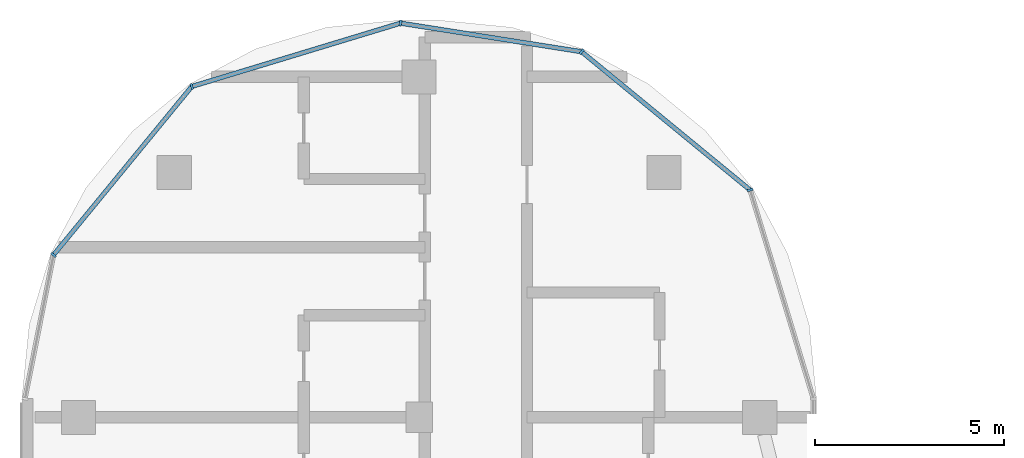
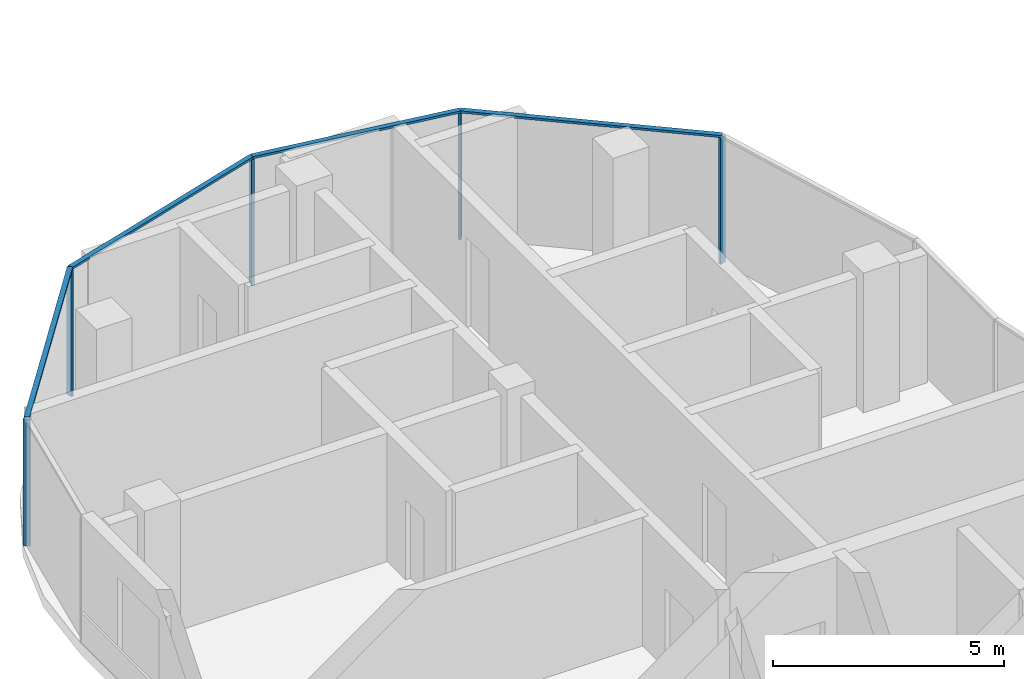
# One storey, part 6 of 19: 9 members, 1 element without a shape of its own.
"""IFC4 building model written with IfcOpenShell, lengths in metres."""

from ifc_helpers import new_model, si_unit, direction, frame, origin, origin_2d, place, context, subcontext, project, spatial, rectangle, extrude, material, material_profile, profile_set, type_object, element, aggregate, save


model = new_model("IFC4")

# Units and contexts
model_context = context("Model", 3, precision=1e-05, world=origin(), true_north=direction((0.0, 1.0)))
body_context = subcontext(model_context, "Body", "Model", "MODEL_VIEW")
ifc_project = project(units=[si_unit("LENGTHUNIT", "METRE"), si_unit("AREAUNIT", "SQUARE_METRE"), si_unit("VOLUMEUNIT", "CUBIC_METRE"), si_unit("PLANEANGLEUNIT", "RADIAN"), si_unit("MASSUNIT", "GRAM", prefix="KILO")], contexts=[model_context])

# Site, building, storey
site_placement = place(None, origin())
site = spatial("IfcSite", under=ifc_project, at=site_placement, CompositionType="ELEMENT")
building_placement = place(site_placement, origin())
building = spatial("IfcBuilding", under=site, at=building_placement, Name="Ogive Portal Towers", CompositionType="ELEMENT")
storey_placement = place(building_placement, frame((0.0, 0.0, 229.10009765625)))
storey = spatial("IfcBuildingStorey", under=building, at=storey_placement, Name="L57", CompositionType="ELEMENT", Elevation=229.10009765625)

# Curtain wall, members
ifc_material_1 = material(Name="Glass, clear low-iron insulated glazing", Category="glass")
curtain_wall_type = type_object("IfcCurtainWallType", Name="CW FRONT RIBBON 4500", PredefinedType="NOTDEFINED", material=ifc_material_1)
curtain_wall_placement = place(storey_placement, origin())
curtain_wall = element("IfcCurtainWall", 1, at=curtain_wall_placement, inside=storey, type_object=curtain_wall_type, Name="A:L57:f18:cwa", PredefinedType="NOTDEFINED")
ifc_material_2 = material(Name="Aluminium 6063 anodised", Category="aluminium")
ifc_material_profile_1 = material_profile(ifc_material_2, rectangle(XDim=0.159912109375, YDim=0.06005859375, at=origin_2d()), Name="AL 60x160")
ifc_profile_set_1 = profile_set([ifc_material_profile_1], Name="Aluminium 6063 anodised")
member_type_1 = type_object("IfcMemberType", Name="CW MULLION 60x160", PredefinedType="MULLION", material=ifc_profile_set_1)
member_1_placement = place(storey_placement, frame((49.2451171875, 54.50927734375, 0.0), z_axis=(0.0, 0.0, 1.0), x_axis=(-0.956940335732, -0.290284677254, 0.0)))
member_1 = element("IfcMember", 2, at=member_1_placement, type_object=member_type_1, Name="mullion", PredefinedType="MULLION", context=body_context, shape_type="SweptSolid", body=[
    extrude(rectangle(XDim=0.159912109375, YDim=0.06005859375, at=origin_2d()), origin(), (0.0, 0.0, 1.0), 3.33984375),
])
member_2_placement = place(storey_placement, frame((44.79296875, 58.1630859375, 0.0), z_axis=(0.0, 0.0, 1.0), x_axis=(-0.634393284164, -0.773010453363, 0.0)))
member_2 = element("IfcMember", 3, at=member_2_placement, type_object=member_type_1, Name="mullion", PredefinedType="MULLION", context=body_context, shape_type="SweptSolid", body=[
    extrude(rectangle(XDim=0.159912109375, YDim=0.06005859375, at=origin_2d()), origin(), (0.0, 0.0, 1.0), 3.33984375),
])
member_3_placement = place(storey_placement, frame((40.005615234375, 58.918212890625, 0.0), z_axis=(0.0, 0.0, 1.0), x_axis=(-0.155777466355, -0.987792174992, 0.0)))
member_3 = element("IfcMember", 4, at=member_3_placement, type_object=member_type_1, Name="mullion", PredefinedType="MULLION", context=body_context, shape_type="SweptSolid", body=[
    extrude(rectangle(XDim=0.159912109375, YDim=0.06005859375, at=origin_2d()), origin(), (0.0, 0.0, 1.0), 3.33984375),
])
member_4_placement = place(storey_placement, frame((34.49072265625, 57.2451171875, 0.0), z_axis=(0.0, 0.0, 1.0), x_axis=(0.290284677254, -0.956940335732, 0.0)))
member_4 = element("IfcMember", 5, at=member_4_placement, type_object=member_type_1, Name="mullion", PredefinedType="MULLION", context=body_context, shape_type="SweptSolid", body=[
    extrude(rectangle(XDim=0.159912109375, YDim=0.06005859375, at=origin_2d()), origin(), (0.0, 0.0, 1.0), 3.33984375),
])
member_5_placement = place(storey_placement, frame((30.835693359375, 52.79150390625, 0.0), z_axis=(0.0, 0.0, 1.0), x_axis=(0.773010453363, -0.634393284164, 0.0)))
member_5 = element("IfcMember", 6, at=member_5_placement, type_object=member_type_1, Name="mullion", PredefinedType="MULLION", context=body_context, shape_type="SweptSolid", body=[
    extrude(rectangle(XDim=0.159912109375, YDim=0.06005859375, at=origin_2d()), origin(), (0.0, 0.0, 1.0), 3.33984375),
])
ifc_material_profile_2 = material_profile(ifc_material_2, rectangle(XDim=0.1201171875, YDim=0.06005859375, at=origin_2d()), Name="AL 120x60")
ifc_profile_set_2 = profile_set([ifc_material_profile_2], Name="Aluminium 6063 anodised")
member_type_2 = type_object("IfcMemberType", Name="CW TRANSOM 60x120", PredefinedType="USERDEFINED", material=ifc_profile_set_2)
member_6_placement = place(storey_placement, frame((49.2451171875, 54.50927734375, 3.369873046875), z_axis=(-0.773008341981, 0.634395856881, 0.0), x_axis=(-0.634395856881, -0.773008341981, 0.0)))
member_6 = element("IfcMember", 7, at=member_6_placement, type_object=member_type_2, Name="transom", ObjectType="TRANSOM", PredefinedType="USERDEFINED", context=body_context, shape_type="SweptSolid", body=[
    extrude(rectangle(XDim=0.1201171875, YDim=0.06005859375, at=origin_2d()), origin(), (0.0, 0.0, 1.0), 5.759521484375),
])
member_7_placement = place(storey_placement, frame((44.79296875, 58.1630859375, 3.369873046875), z_axis=(-0.987787459497, 0.155807364589, 0.0), x_axis=(-0.155807364589, -0.987787459497, 0.0)))
member_7 = element("IfcMember", 8, at=member_7_placement, type_object=member_type_2, Name="transom", ObjectType="TRANSOM", PredefinedType="USERDEFINED", context=body_context, shape_type="SweptSolid", body=[
    extrude(rectangle(XDim=0.1201171875, YDim=0.06005859375, at=origin_2d()), origin(), (0.0, 0.0, 1.0), 4.846435546875),
])
member_8_placement = place(storey_placement, frame((40.005615234375, 58.918212890625, 3.369873046875), z_axis=(-0.956932077168, -0.290311900697, 0.0), x_axis=(0.290311900697, -0.956932077168, 0.0)))
member_8 = element("IfcMember", 9, at=member_8_placement, type_object=member_type_2, Name="transom", ObjectType="TRANSOM", PredefinedType="USERDEFINED", context=body_context, shape_type="SweptSolid", body=[
    extrude(rectangle(XDim=0.1201171875, YDim=0.06005859375, at=origin_2d()), origin(), (0.0, 0.0, 1.0), 5.76318359375),
])
member_9_placement = place(storey_placement, frame((34.49072265625, 57.2451171875, 3.369873046875), z_axis=(-0.63439777858, -0.773006764869, 0.0), x_axis=(0.773006764869, -0.63439777858, 0.0)))
member_9 = element("IfcMember", 10, at=member_9_placement, type_object=member_type_2, Name="transom", ObjectType="TRANSOM", PredefinedType="USERDEFINED", context=body_context, shape_type="SweptSolid", body=[
    extrude(rectangle(XDim=0.1201171875, YDim=0.06005859375, at=origin_2d()), origin(), (0.0, 0.0, 1.0), 5.761474609375),
])
aggregate(curtain_wall, [member_6, member_7, member_8, member_9, member_1, member_2, member_3, member_4, member_5])

save(model, "model.ifc")
